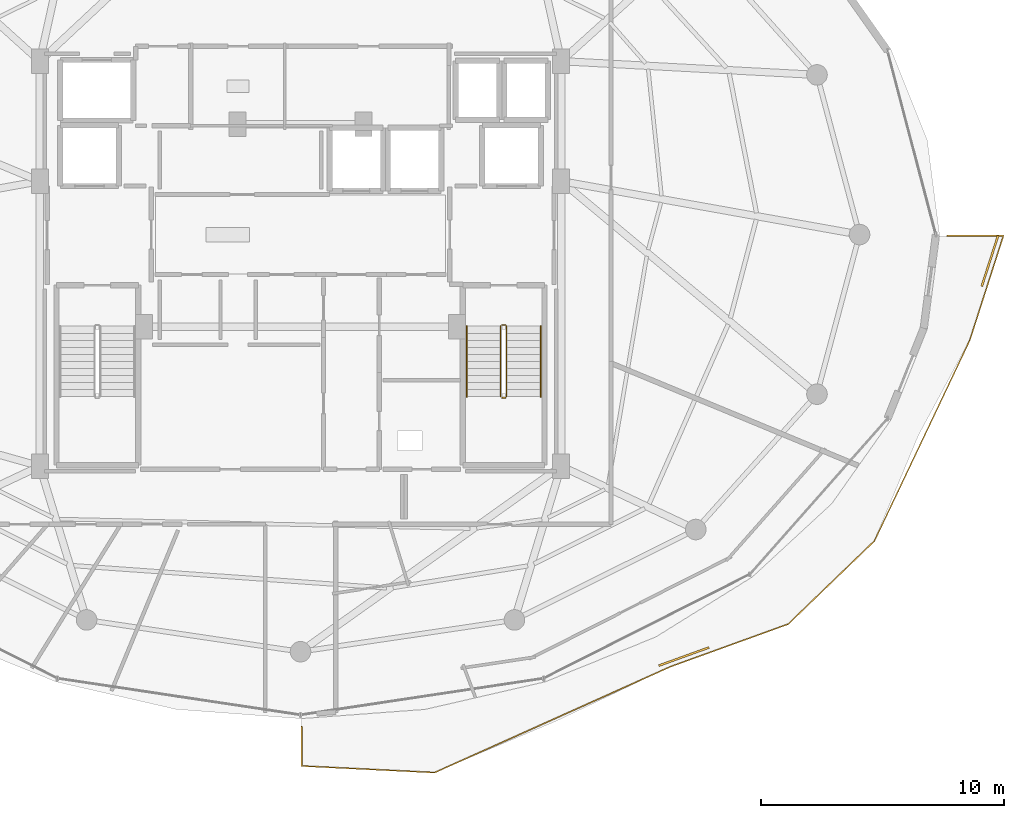
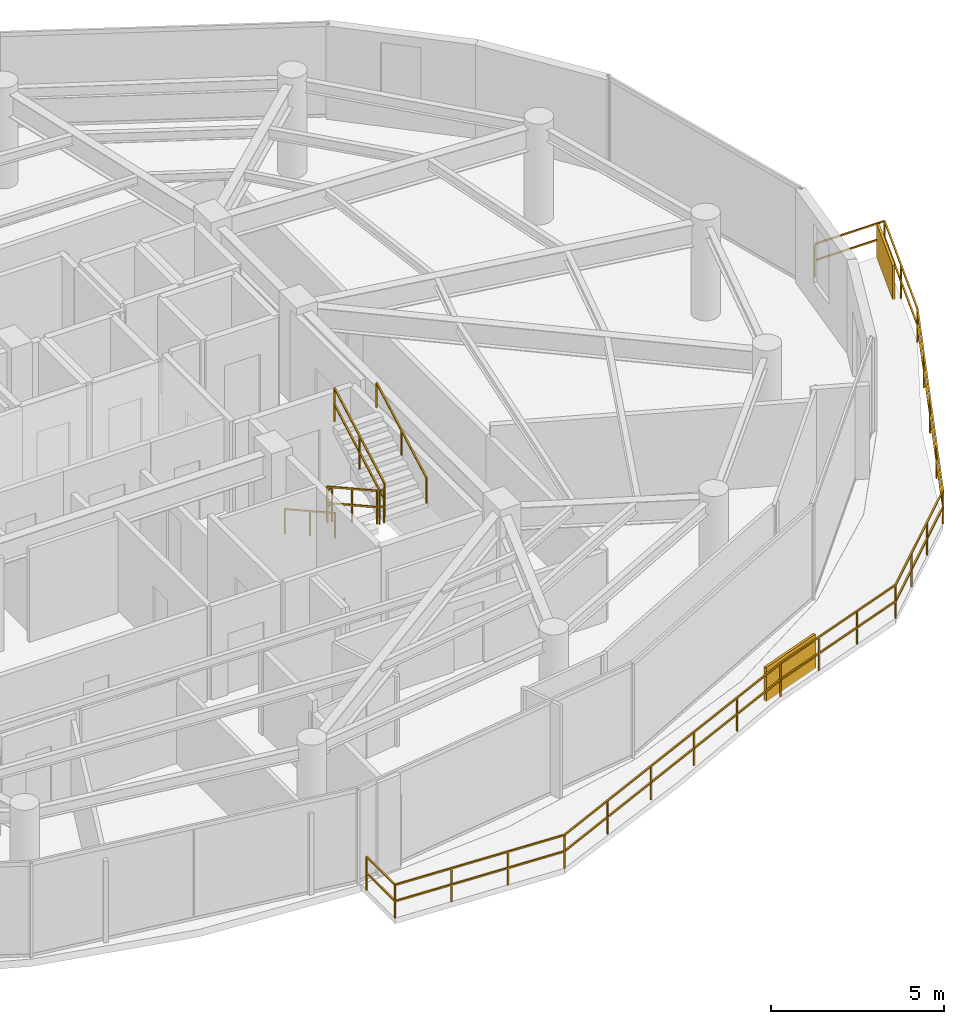
# One storey, part 28 of 30: 8 railings, 2 shading devices.
"""IFC4 building model written with IfcOpenShell, lengths in metres."""

from ifc_helpers import new_model, si_unit, direction, frame, origin, origin_2d, place, context, subcontext, project, spatial, rectangle, extrude, material, type_object, element, save


model = new_model("IFC4")

# Units and contexts
model_context = context("Model", 3, precision=1e-05, world=origin(), true_north=direction((0.0, 1.0)))
body_context = subcontext(model_context, "Body", "Model", "MODEL_VIEW")
ifc_project = project(units=[si_unit("LENGTHUNIT", "METRE"), si_unit("AREAUNIT", "SQUARE_METRE"), si_unit("VOLUMEUNIT", "CUBIC_METRE"), si_unit("PLANEANGLEUNIT", "RADIAN"), si_unit("MASSUNIT", "GRAM", prefix="KILO")], contexts=[model_context])

# Site, building, storey
site_placement = place(None, origin())
site = spatial("IfcSite", under=ifc_project, at=site_placement, CompositionType="ELEMENT")
building_placement = place(site_placement, origin())
building = spatial("IfcBuilding", under=site, at=building_placement, Name="Vorneva Point Tower", CompositionType="ELEMENT")
storey_placement = place(building_placement, frame((0.0, 0.0, 237.800048828125)))
storey = spatial("IfcBuildingStorey", under=building, at=storey_placement, Name="L64", CompositionType="ELEMENT", Elevation=237.800048828125)

# Railings
ifc_material_1 = material(Name="Pale anodised aluminium", Category="aluminium")
railing_type_1 = type_object("IfcRailingType", Name="RL-BAL-1200", PredefinedType="BALUSTRADE", material=ifc_material_1)
railing_1_placement = place(storey_placement, frame((65.59765625, 21.6455078125, 0.0)))
element("IfcRailing", 1, at=railing_1_placement, inside=storey, type_object=railing_type_1, Name="L64 Wave Balcony Balustrade SE.1", PredefinedType="BALUSTRADE", context=body_context, shape_type="SweptSolid", body=[
    extrude(rectangle(XDim=0.048095703125, YDim=0.048095703125, at=origin_2d()), frame((0.0, 0.0, 1.17578125), z_axis=(0.306542143936, 0.951857086957, 0.0), x_axis=(-0.951857086957, 0.306542143936, 0.0)), (0.0, 0.0, 1.0), 4.522216796875),
    extrude(rectangle(XDim=0.048095703125, YDim=0.048095703125, at=origin_2d()), frame((0.0, 0.0, 0.60009765625), z_axis=(0.306542143936, 0.951857086957, 0.0), x_axis=(-0.951857086957, 0.306542143936, 0.0)), (0.0, 0.0, 1.0), 4.522216796875),
    extrude(rectangle(XDim=0.048095703125, YDim=0.048095703125, at=origin_2d()), frame((1.38623046875, 4.304443359375, 1.17578125), z_axis=(-1.0, 0.0, 0.0), x_axis=(0.0, -1.0, 0.0)), (0.0, 0.0, 1.0), 2.317626953125),
    extrude(rectangle(XDim=0.048095703125, YDim=0.048095703125, at=origin_2d()), frame((1.38623046875, 4.304443359375, 0.60009765625), z_axis=(-1.0, 0.0, 0.0), x_axis=(0.0, -1.0, 0.0)), (0.0, 0.0, 1.0), 2.317626953125),
    extrude(rectangle(XDim=0.0419921875, YDim=0.0419921875, at=origin_2d()), origin(), (0.0, 0.0, 1.0), 1.15185546875),
    extrude(rectangle(XDim=0.0419921875, YDim=0.0419921875, at=origin_2d()), frame((0.693115234375, 2.15234375, 0.0)), (0.0, 0.0, 1.0), 1.15185546875),
    extrude(rectangle(XDim=0.0419921875, YDim=0.0419921875, at=origin_2d()), frame((1.38623046875, 4.304443359375, 0.0)), (0.0, 0.0, 1.0), 1.15185546875),
    extrude(rectangle(XDim=0.0419921875, YDim=0.0419921875, at=origin_2d()), frame((-0.931396484375, 4.304443359375, 0.0)), (0.0, 0.0, 1.0), 1.15185546875),
])
railing_2_placement = place(storey_placement, frame((38.050048828125, 5.722900390625, 0.0)))
element("IfcRailing", 2, at=railing_2_placement, inside=storey, type_object=railing_type_1, Name="L64 Wave Balcony Balustrade SE.2", PredefinedType="BALUSTRADE", context=body_context, shape_type="SweptSolid", body=[
    extrude(rectangle(XDim=0.048095703125, YDim=0.048095703125, at=origin_2d()), frame((0.0, 0.0, 1.17578125), z_axis=(0.0, -1.0, 0.0), x_axis=(1.0, 0.0, 0.0)), (0.0, 0.0, 1.0), 1.635498046875),
    extrude(rectangle(XDim=0.048095703125, YDim=0.048095703125, at=origin_2d()), frame((0.0, 0.0, 0.60009765625), z_axis=(0.0, -1.0, 0.0), x_axis=(1.0, 0.0, 0.0)), (0.0, 0.0, 1.0), 1.635498046875),
    extrude(rectangle(XDim=0.048095703125, YDim=0.048095703125, at=origin_2d()), frame((0.0, -1.635498046875, 1.17578125), z_axis=(0.99878100538, -0.049360949064, 0.0), x_axis=(0.049360949064, 0.99878100538, 0.0)), (0.0, 0.0, 1.0), 5.489990234375),
    extrude(rectangle(XDim=0.048095703125, YDim=0.048095703125, at=origin_2d()), frame((0.0, -1.635498046875, 0.60009765625), z_axis=(0.99878100538, -0.049360949064, 0.0), x_axis=(0.049360949064, 0.99878100538, 0.0)), (0.0, 0.0, 1.0), 5.489990234375),
    extrude(rectangle(XDim=0.048095703125, YDim=0.048095703125, at=origin_2d()), frame((5.4833984375, -1.906494140625, 1.17578125), z_axis=(0.912226387749, 0.409686486835, 0.0), x_axis=(-0.409686486835, 0.912226387749, 0.0)), (0.0, 0.0, 1.0), 10.6591796875),
    extrude(rectangle(XDim=0.048095703125, YDim=0.048095703125, at=origin_2d()), frame((5.4833984375, -1.906494140625, 0.60009765625), z_axis=(0.912226387749, 0.409686486835, 0.0), x_axis=(-0.409686486835, 0.912226387749, 0.0)), (0.0, 0.0, 1.0), 10.6591796875),
    extrude(rectangle(XDim=0.048095703125, YDim=0.048095703125, at=origin_2d()), frame((15.20703125, 2.46044921875, 1.17578125), z_axis=(0.940432896027, 0.339979364184, 0.0), x_axis=(-0.339979364184, 0.940432896027, 0.0)), (0.0, 0.0, 1.0), 5.158935546875),
    extrude(rectangle(XDim=0.048095703125, YDim=0.048095703125, at=origin_2d()), frame((15.20703125, 2.46044921875, 0.60009765625), z_axis=(0.940432896027, 0.339979364184, 0.0), x_axis=(-0.339979364184, 0.940432896027, 0.0)), (0.0, 0.0, 1.0), 5.158935546875),
    extrude(rectangle(XDim=0.048095703125, YDim=0.048095703125, at=origin_2d()), frame((20.05859375, 4.21435546875, 1.17578125), z_axis=(0.71996871412, 0.694006520638, 0.0), x_axis=(-0.694006520638, 0.71996871412, 0.0)), (0.0, 0.0, 1.0), 4.93701171875),
    extrude(rectangle(XDim=0.048095703125, YDim=0.048095703125, at=origin_2d()), frame((20.05859375, 4.21435546875, 0.60009765625), z_axis=(0.71996871412, 0.694006520638, 0.0), x_axis=(-0.694006520638, 0.71996871412, 0.0)), (0.0, 0.0, 1.0), 4.93701171875),
    extrude(rectangle(XDim=0.048095703125, YDim=0.048095703125, at=origin_2d()), frame((23.613037109375, 7.640625, 1.17578125), z_axis=(0.429112755204, 0.903250930429, 0.0), x_axis=(-0.903250930429, 0.429112755204, 0.0)), (0.0, 0.0, 1.0), 9.169189453125),
    extrude(rectangle(XDim=0.048095703125, YDim=0.048095703125, at=origin_2d()), frame((23.613037109375, 7.640625, 0.60009765625), z_axis=(0.429112755204, 0.903250930429, 0.0), x_axis=(-0.903250930429, 0.429112755204, 0.0)), (0.0, 0.0, 1.0), 9.169189453125),
    extrude(rectangle(XDim=0.0419921875, YDim=0.0419921875, at=origin_2d()), origin(), (0.0, 0.0, 1.0), 1.15185546875),
    extrude(rectangle(XDim=0.0419921875, YDim=0.0419921875, at=origin_2d()), frame((0.0, -1.635498046875, 0.0)), (0.0, 0.0, 1.0), 1.15185546875),
    extrude(rectangle(XDim=0.0419921875, YDim=0.0419921875, at=origin_2d()), frame((1.827880859375, -1.725830078125, 0.0)), (0.0, 0.0, 1.0), 1.15185546875),
    extrude(rectangle(XDim=0.0419921875, YDim=0.0419921875, at=origin_2d()), frame((3.655517578125, -1.816162109375, 0.0)), (0.0, 0.0, 1.0), 1.15185546875),
    extrude(rectangle(XDim=0.0419921875, YDim=0.0419921875, at=origin_2d()), frame((5.4833984375, -1.906494140625, 0.0)), (0.0, 0.0, 1.0), 1.15185546875),
    extrude(rectangle(XDim=0.0419921875, YDim=0.0419921875, at=origin_2d()), frame((7.42822265625, -1.033203125, 0.0)), (0.0, 0.0, 1.0), 1.15185546875),
    extrude(rectangle(XDim=0.0419921875, YDim=0.0419921875, at=origin_2d()), frame((9.372802734375, -0.15966796875, 0.0)), (0.0, 0.0, 1.0), 1.15185546875),
    extrude(rectangle(XDim=0.0419921875, YDim=0.0419921875, at=origin_2d()), frame((11.317626953125, 0.713623046875, 0.0)), (0.0, 0.0, 1.0), 1.15185546875),
    extrude(rectangle(XDim=0.0419921875, YDim=0.0419921875, at=origin_2d()), frame((13.26220703125, 1.587158203125, 0.0)), (0.0, 0.0, 1.0), 1.15185546875),
    extrude(rectangle(XDim=0.0419921875, YDim=0.0419921875, at=origin_2d()), frame((15.20703125, 2.46044921875, 0.0)), (0.0, 0.0, 1.0), 1.15185546875),
    extrude(rectangle(XDim=0.0419921875, YDim=0.0419921875, at=origin_2d()), frame((16.82421875, 3.045166015625, 0.0)), (0.0, 0.0, 1.0), 1.15185546875),
    extrude(rectangle(XDim=0.0419921875, YDim=0.0419921875, at=origin_2d()), frame((18.44140625, 3.629638671875, 0.0)), (0.0, 0.0, 1.0), 1.15185546875),
    extrude(rectangle(XDim=0.0419921875, YDim=0.0419921875, at=origin_2d()), frame((20.05859375, 4.21435546875, 0.0)), (0.0, 0.0, 1.0), 1.15185546875),
    extrude(rectangle(XDim=0.0419921875, YDim=0.0419921875, at=origin_2d()), frame((21.243408203125, 5.3564453125, 0.0)), (0.0, 0.0, 1.0), 1.15185546875),
    extrude(rectangle(XDim=0.0419921875, YDim=0.0419921875, at=origin_2d()), frame((22.42822265625, 6.49853515625, 0.0)), (0.0, 0.0, 1.0), 1.15185546875),
    extrude(rectangle(XDim=0.0419921875, YDim=0.0419921875, at=origin_2d()), frame((23.613037109375, 7.640625, 0.0)), (0.0, 0.0, 1.0), 1.15185546875),
    extrude(rectangle(XDim=0.0419921875, YDim=0.0419921875, at=origin_2d()), frame((24.5966796875, 9.711181640625, 0.0)), (0.0, 0.0, 1.0), 1.15185546875),
    extrude(rectangle(XDim=0.0419921875, YDim=0.0419921875, at=origin_2d()), frame((25.580322265625, 11.78173828125, 0.0)), (0.0, 0.0, 1.0), 1.15185546875),
    extrude(rectangle(XDim=0.0419921875, YDim=0.0419921875, at=origin_2d()), frame((26.56396484375, 13.85205078125, 0.0)), (0.0, 0.0, 1.0), 1.15185546875),
    extrude(rectangle(XDim=0.0419921875, YDim=0.0419921875, at=origin_2d()), frame((27.547607421875, 15.922607421875, 0.0)), (0.0, 0.0, 1.0), 1.15185546875),
])
ifc_material_2 = material(Name="Brushed stainless steel S304", Category="steel")
railing_type_2 = type_object("IfcRailingType", Name="RL-HND-920", PredefinedType="HANDRAIL", material=ifc_material_2)
railing_3_placement = place(storey_placement, frame((44.85009765625, 22.219970703125, 0.161376953125)))
element("IfcRailing", 3, at=railing_3_placement, inside=storey, type_object=railing_type_2, Name="L64 ST2 stair handrail 1", PredefinedType="HANDRAIL", context=body_context, shape_type="SweptSolid", body=[
    extrude(rectangle(XDim=0.048095703125, YDim=0.048095703125, at=origin_2d()), frame((0.0, 0.0, 0.8759765625), z_axis=(0.0, -0.873841303929, 0.486211245805), x_axis=(1.0, 0.0, 0.0)), (0.0, 0.0, 1.0), 3.318603515625),
    extrude(rectangle(XDim=0.0419921875, YDim=0.0419921875, at=origin_2d()), origin(), (0.0, 0.0, 1.0), 0.851806640625),
    extrude(rectangle(XDim=0.0419921875, YDim=0.0419921875, at=origin_2d()), frame((0.0, -1.449951171875, 0.806640625)), (0.0, 0.0, 1.0), 0.851806640625),
    extrude(rectangle(XDim=0.0419921875, YDim=0.0419921875, at=origin_2d()), frame((0.0, -2.89990234375, 1.613525390625)), (0.0, 0.0, 1.0), 0.851806640625),
])
railing_4_placement = place(storey_placement, frame((47.89990234375, 19.320068359375, 1.936279296875)))
element("IfcRailing", 4, at=railing_4_placement, inside=storey, type_object=railing_type_2, Name="L64 ST2 stair handrail 2", PredefinedType="HANDRAIL", context=body_context, shape_type="SweptSolid", body=[
    extrude(rectangle(XDim=0.048095703125, YDim=0.048095703125, at=origin_2d()), frame((0.0, 0.0, 0.8759765625), z_axis=(0.0, 0.873810046276, 0.486267419253), x_axis=(-1.0, 0.0, 0.0)), (0.0, 0.0, 1.0), 3.318603515625),
    extrude(rectangle(XDim=0.0419921875, YDim=0.0419921875, at=origin_2d()), origin(), (0.0, 0.0, 1.0), 0.851806640625),
    extrude(rectangle(XDim=0.0419921875, YDim=0.0419921875, at=origin_2d()), frame((0.0, 1.449951171875, 0.806884765625)), (0.0, 0.0, 1.0), 0.851806640625),
    extrude(rectangle(XDim=0.0419921875, YDim=0.0419921875, at=origin_2d()), frame((0.0, 2.89990234375, 1.61376953125)), (0.0, 0.0, 1.0), 0.851806640625),
])
railing_type_3 = type_object("IfcRailingType", Name="RL-STG-1100", PredefinedType="GUARDRAIL", material=ifc_material_2)
railing_5_placement = place(storey_placement, frame((46.25, 22.219970703125, 0.161376953125)))
element("IfcRailing", 5, at=railing_5_placement, inside=storey, type_object=railing_type_3, Name="L64 ST2 stair guard 1", PredefinedType="GUARDRAIL", context=body_context, shape_type="SweptSolid", body=[
    extrude(rectangle(XDim=0.048095703125, YDim=0.048095703125, at=origin_2d()), frame((0.0, 0.0, 1.17578125), z_axis=(0.0, -0.873841303929, 0.486211245805), x_axis=(1.0, 0.0, 0.0)), (0.0, 0.0, 1.0), 3.318603515625),
    extrude(rectangle(XDim=0.048095703125, YDim=0.048095703125, at=origin_2d()), frame((0.0, 0.0, 0.60009765625), z_axis=(0.0, -0.873841303929, 0.486211245805), x_axis=(1.0, 0.0, 0.0)), (0.0, 0.0, 1.0), 3.318603515625),
    extrude(rectangle(XDim=0.0419921875, YDim=0.0419921875, at=origin_2d()), origin(), (0.0, 0.0, 1.0), 1.15185546875),
    extrude(rectangle(XDim=0.0419921875, YDim=0.0419921875, at=origin_2d()), frame((0.0, -1.449951171875, 0.806640625)), (0.0, 0.0, 1.0), 1.15185546875),
    extrude(rectangle(XDim=0.0419921875, YDim=0.0419921875, at=origin_2d()), frame((0.0, -2.89990234375, 1.613525390625)), (0.0, 0.0, 1.0), 1.15185546875),
])
railing_6_placement = place(storey_placement, frame((46.300048828125, 19.27001953125, 1.77490234375)))
element("IfcRailing", 6, at=railing_6_placement, inside=storey, type_object=railing_type_3, Name="L64 ST2 stair guard 2", PredefinedType="GUARDRAIL", context=body_context, shape_type="SweptSolid", body=[
    extrude(rectangle(XDim=0.048095703125, YDim=0.048095703125, at=origin_2d()), frame((0.0, 0.0, 1.17578125), z_axis=(1.0, 0.0, 0.0), x_axis=(0.0, 1.0, 0.0)), (0.0, 0.0, 1.0), 0.14990234375),
    extrude(rectangle(XDim=0.048095703125, YDim=0.048095703125, at=origin_2d()), frame((0.0, 0.0, 0.60009765625), z_axis=(1.0, 0.0, 0.0), x_axis=(0.0, 1.0, 0.0)), (0.0, 0.0, 1.0), 0.14990234375),
    extrude(rectangle(XDim=0.0419921875, YDim=0.0419921875, at=origin_2d()), origin(), (0.0, 0.0, 1.0), 1.15185546875),
    extrude(rectangle(XDim=0.0419921875, YDim=0.0419921875, at=origin_2d()), frame((0.14990234375, 0.0, 0.0)), (0.0, 0.0, 1.0), 1.15185546875),
])
railing_7_placement = place(storey_placement, frame((46.5, 19.320068359375, 1.936279296875)))
element("IfcRailing", 7, at=railing_7_placement, inside=storey, type_object=railing_type_3, Name="L64 ST2 stair guard 3", PredefinedType="GUARDRAIL", context=body_context, shape_type="SweptSolid", body=[
    extrude(rectangle(XDim=0.048095703125, YDim=0.048095703125, at=origin_2d()), frame((0.0, 0.0, 1.17578125), z_axis=(0.0, 0.873810046276, 0.486267419253), x_axis=(-1.0, 0.0, 0.0)), (0.0, 0.0, 1.0), 3.318603515625),
    extrude(rectangle(XDim=0.048095703125, YDim=0.048095703125, at=origin_2d()), frame((0.0, 0.0, 0.60009765625), z_axis=(0.0, 0.873810046276, 0.486267419253), x_axis=(-1.0, 0.0, 0.0)), (0.0, 0.0, 1.0), 3.318603515625),
    extrude(rectangle(XDim=0.0419921875, YDim=0.0419921875, at=origin_2d()), origin(), (0.0, 0.0, 1.0), 1.15185546875),
    extrude(rectangle(XDim=0.0419921875, YDim=0.0419921875, at=origin_2d()), frame((0.0, 1.449951171875, 0.806884765625)), (0.0, 0.0, 1.0), 1.15185546875),
    extrude(rectangle(XDim=0.0419921875, YDim=0.0419921875, at=origin_2d()), frame((0.0, 2.89990234375, 1.61376953125)), (0.0, 0.0, 1.0), 1.15185546875),
])
railing_8_placement = place(storey_placement, frame((46.300048828125, 22.27001953125, 0.0)))
element("IfcRailing", 8, at=railing_8_placement, inside=storey, type_object=railing_type_3, Name="L64 ST2 stair guard 4", PredefinedType="GUARDRAIL", context=body_context, shape_type="SweptSolid", body=[
    extrude(rectangle(XDim=0.048095703125, YDim=0.048095703125, at=origin_2d()), frame((0.0, 0.0, 1.17578125), z_axis=(1.0, 0.0, 0.0), x_axis=(0.0, 1.0, 0.0)), (0.0, 0.0, 1.0), 0.14990234375),
    extrude(rectangle(XDim=0.048095703125, YDim=0.048095703125, at=origin_2d()), frame((0.0, 0.0, 0.60009765625), z_axis=(1.0, 0.0, 0.0), x_axis=(0.0, 1.0, 0.0)), (0.0, 0.0, 1.0), 0.14990234375),
    extrude(rectangle(XDim=0.0419921875, YDim=0.0419921875, at=origin_2d()), origin(), (0.0, 0.0, 1.0), 1.15185546875),
    extrude(rectangle(XDim=0.0419921875, YDim=0.0419921875, at=origin_2d()), frame((0.14990234375, 0.0, 0.0)), (0.0, 0.0, 1.0), 1.15185546875),
])

# Shading devices
shading_device_type = type_object("IfcShadingDeviceType", Name="SHD-JAL-1200", PredefinedType="JALOUSIE", material=ifc_material_1)
for number, where, z_axis, x_axis, name in (
    (9, (66.42626953125, 24.9091796875, -0.02001953125), (0.0, 0.0, 1.0), (0.306526078098, 0.951862260753, 0.0), "L64 Balcony Vertical-Greenery Planter Screen SE.1"),
    (10, (53.80908203125, 8.59912109375, -0.02001953125), (0.0, 0.0, 1.0), (0.940436556093, 0.339969239731, 0.0), "L64 Balcony Vertical-Greenery Planter Screen SE.2"),
):
    element("IfcShadingDevice", number, at=place(storey_placement, frame(where, z_axis=z_axis, x_axis=x_axis)), inside=storey, type_object=shading_device_type, Name=name, PredefinedType="JALOUSIE", context=body_context, shape_type="SweptSolid", body=[
        extrude(rectangle(XDim=2.199951171875, YDim=0.080078125, at=origin_2d()), origin(), (0.0, 0.0, 1.0), 1.199951171875),
    ])

save(model, "model.ifc")
